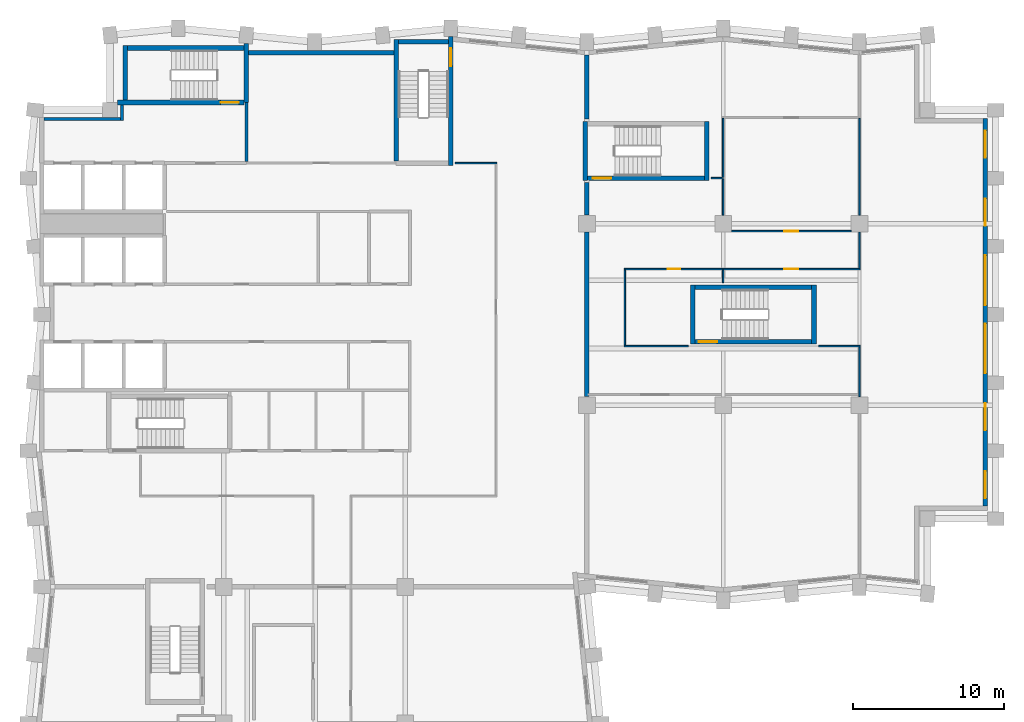
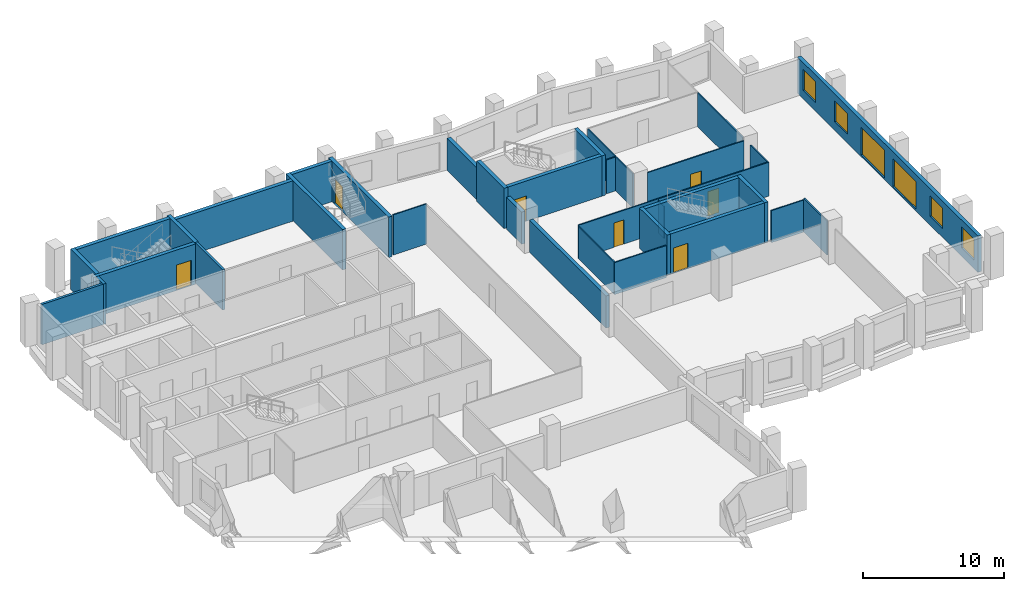
# One storey, part 6 of 10: 36 walls, 7 doors, 6 windows, 13 openings.
"""IFC4 building model written with IfcOpenShell, lengths in metres."""

from ifc_helpers import new_model, si_unit, direction, frame, frame_2d, origin, place, context, subcontext, project, spatial, rectangle, extrude, material, layer, layer_set, type_object, element, fill, save


model = new_model("IFC4")

# Units and contexts
model_context = context("Model", 3, precision=1e-05, world=origin(), true_north=direction((0.0, 1.0)))
body_context = subcontext(model_context, "Body", "Model", "MODEL_VIEW")
ifc_project = project(units=[si_unit("LENGTHUNIT", "METRE"), si_unit("AREAUNIT", "SQUARE_METRE"), si_unit("VOLUMEUNIT", "CUBIC_METRE"), si_unit("PLANEANGLEUNIT", "RADIAN"), si_unit("MASSUNIT", "GRAM", prefix="KILO")], contexts=[model_context])

# Site, building, storey
site_placement = place(None, origin())
site = spatial("IfcSite", under=ifc_project, at=site_placement, CompositionType="ELEMENT")
building_placement = place(site_placement, origin())
building = spatial("IfcBuilding", under=site, at=building_placement, Name="Brondeck Convention Tower", CompositionType="ELEMENT")
storey_placement = place(building_placement, frame((0.0, 0.0, 177.60009765625)))
storey = spatial("IfcBuildingStorey", under=building, at=storey_placement, Name="L43", CompositionType="ELEMENT", Elevation=177.60009765625)

# Walls
ifc_material_1 = material(Name="Concrete compartment wall C30/37", Category="concrete")
ifc_layer_1 = layer(ifc_material_1, 0.300048828125)
ifc_layer_set_1 = layer_set([ifc_layer_1], Name="Compartment wall 300")
wall_type_1 = type_object("IfcWallType", Name="Compartment wall 300", PredefinedType="PARTITIONING", material=ifc_layer_set_1)
wall_1_placement = place(storey_placement, frame((36.0, 39.570068359375, 0.0), z_axis=(0.0, 0.0, 1.0), x_axis=(0.0, 1.0, 0.0)))
element("IfcWall", 1, at=wall_1_placement, inside=storey, type_object=wall_type_1, Name="FLR-L43-W032", PredefinedType="PARTITIONING", context=body_context, shape_type="SweptSolid", body=[
    extrude(rectangle(XDim=10.875, YDim=0.300048828125, at=frame_2d((5.4375, 0.0))), origin(), (0.0, 0.0, 1.0), 2.77978515625),
])
wall_2_placement = place(storey_placement, frame((36.0, 51.554931640625, 0.0), z_axis=(0.0, 0.0, 1.0), x_axis=(0.0, 1.0, 0.0)))
element("IfcWall", 2, at=wall_2_placement, inside=storey, type_object=wall_type_1, Name="FLR-L43-W042", PredefinedType="PARTITIONING", context=body_context, shape_type="SweptSolid", body=[
    extrude(rectangle(XDim=2.14501953125, YDim=0.300048828125, at=frame_2d((1.072509765625, 0.0))), origin(), (0.0, 0.0, 1.0), 2.77978515625),
])
wall_3_placement = place(storey_placement, frame((36.0, 57.89990234375, 0.0), z_axis=(0.0, 0.0, 1.0), x_axis=(0.0, 1.0, 0.0)))
element("IfcWall", 3, at=wall_3_placement, inside=storey, type_object=wall_type_1, Name="FLR-L43-W049", PredefinedType="PARTITIONING", context=body_context, shape_type="SweptSolid", body=[
    extrude(rectangle(XDim=4.22607421875, YDim=0.300048828125, at=frame_2d((2.113037109375, 0.0))), origin(), (0.0, 0.0, 1.0), 2.77978515625),
])
ifc_material_2 = material(Name="Concrete C70/85", Category="concrete")
ifc_layer_2 = layer(ifc_material_2, 0.300048828125)
ifc_layer_set_2 = layer_set([ifc_layer_2], Name="Core outer wall 300 Concrete C70/85")
wall_type_2 = type_object("IfcWallType", Name="Core outer wall 300 Concrete C70/85", PredefinedType="SHEAR", material=ifc_layer_set_2)
wall_4_placement = place(storey_placement, frame((13.64990234375, 62.300048828125, 0.0), z_axis=(0.0, 0.0, 1.0), x_axis=(1.0, 0.0, 0.0)))
element("IfcWall", 4, at=wall_4_placement, inside=storey, type_object=wall_type_2, Name="L43 core wall", PredefinedType="SHEAR", context=body_context, shape_type="SweptSolid", body=[
    extrude(rectangle(XDim=9.60009765625, YDim=0.300048828125, at=frame_2d((4.800048828125, 0.0))), origin(), (0.0, 0.0, 1.0), 3.5),
])

# Wall, openings, windows
ifc_material_3 = material(Name="Precast concrete C50/60 bronze finish", Category="concrete")
ifc_layer_3 = layer(ifc_material_3, 0.070068359375, Name="Bronze precast facing")
ifc_material_4 = material(Name="Mineral wool")
ifc_layer_4 = layer(ifc_material_4, 0.159912109375, Name="Insulation")
ifc_material_5 = material(Name="Concrete C35/45", Category="concrete")
ifc_layer_5 = layer(ifc_material_5, 0.070068359375, Name="Backing")
ifc_layer_set_3 = layer_set([ifc_layer_3, ifc_layer_4, ifc_layer_5], Name="External infill wall, precast concrete C50/60 bronze facing")
wall_type_3 = type_object("IfcWallType", Name="External infill wall, precast concrete C50/60 bronze facing", PredefinedType="SOLIDWALL", material=ifc_layer_set_3)
wall_5_placement = place(storey_placement, frame((62.300048828125, 57.949951171875, 0.0), z_axis=(0.0, 0.0, 1.0), x_axis=(0.0, -1.0, 0.0)))
wall_5 = element("IfcWall", 5, at=wall_5_placement, inside=storey, type_object=wall_type_3, Name="ENV-EW-L43-P1-A-E63-01", PredefinedType="SOLIDWALL", context=body_context, shape_type="SweptSolid", body=[
    extrude(rectangle(XDim=25.60205078125, YDim=0.300048828125, at=frame_2d((12.801025390625, 0.0))), origin(), (0.0, 0.0, 1.0), 3.14990234375),
])
opening_1_placement = place(wall_5_placement, frame((0.800048828125, 0.0, 0.75)))
opening_1 = element("IfcOpeningElement", 6, at=opening_1_placement, cuts=wall_5, Name="Opening W10", PredefinedType="OPENING", context=body_context, shape_type="SweptSolid", body=[
    extrude(rectangle(XDim=1.800048828125, YDim=1.800048828125, at=frame_2d((0.89990234375, 0.89990234375))), frame((0.0, 0.159912109375, 0.0), z_axis=(0.0, -1.0, 0.0), x_axis=(1.0, 0.0, 0.0)), (0.0, 0.0, 1.0), 0.320068359375),
])
opening_2_placement = place(wall_5_placement, frame((5.300048828125, 0.0, 0.75)))
opening_2 = element("IfcOpeningElement", 7, at=opening_2_placement, cuts=wall_5, Name="Opening W10", PredefinedType="OPENING", context=body_context, shape_type="SweptSolid", body=[
    extrude(rectangle(XDim=1.800048828125, YDim=1.800048828125, at=frame_2d((0.89990234375, 0.89990234375))), frame((0.0, 0.159912109375, 0.0), z_axis=(0.0, -1.0, 0.0), x_axis=(1.0, 0.0, 0.0)), (0.0, 0.0, 1.0), 0.320068359375),
])
opening_3_placement = place(wall_5_placement, frame((9.050048828125, 0.0, 0.14990234375)))
opening_3 = element("IfcOpeningElement", 8, at=opening_3_placement, cuts=wall_5, Name="Opening W9", PredefinedType="OPENING", context=body_context, shape_type="SweptSolid", body=[
    extrude(rectangle(XDim=3.300048828125, YDim=2.39990234375, at=frame_2d((1.64990234375, 1.199951171875))), frame((0.0, 0.159912109375, 0.0), z_axis=(0.0, -1.0, 0.0), x_axis=(1.0, 0.0, 0.0)), (0.0, 0.0, 1.0), 0.320068359375),
])
opening_4_placement = place(wall_5_placement, frame((13.550048828125, 0.0, 0.14990234375)))
opening_4 = element("IfcOpeningElement", 9, at=opening_4_placement, cuts=wall_5, Name="Opening W9", PredefinedType="OPENING", context=body_context, shape_type="SweptSolid", body=[
    extrude(rectangle(XDim=3.300048828125, YDim=2.39990234375, at=frame_2d((1.64990234375, 1.199951171875))), frame((0.0, 0.159912109375, 0.0), z_axis=(0.0, -1.0, 0.0), x_axis=(1.0, 0.0, 0.0)), (0.0, 0.0, 1.0), 0.320068359375),
])
opening_5_placement = place(wall_5_placement, frame((18.800048828125, 0.0, 0.75)))
opening_5 = element("IfcOpeningElement", 10, at=opening_5_placement, cuts=wall_5, Name="Opening W10", PredefinedType="OPENING", context=body_context, shape_type="SweptSolid", body=[
    extrude(rectangle(XDim=1.800048828125, YDim=1.800048828125, at=frame_2d((0.89990234375, 0.89990234375))), frame((0.0, 0.159912109375, 0.0), z_axis=(0.0, -1.0, 0.0), x_axis=(1.0, 0.0, 0.0)), (0.0, 0.0, 1.0), 0.320068359375),
])
opening_6_placement = place(wall_5_placement, frame((23.300048828125, 0.0, 0.75)))
opening_6 = element("IfcOpeningElement", 11, at=opening_6_placement, cuts=wall_5, Name="Opening W10", PredefinedType="OPENING", context=body_context, shape_type="SweptSolid", body=[
    extrude(rectangle(XDim=1.800048828125, YDim=1.800048828125, at=frame_2d((0.89990234375, 0.89990234375))), frame((0.0, 0.159912109375, 0.0), z_axis=(0.0, -1.0, 0.0), x_axis=(1.0, 0.0, 0.0)), (0.0, 0.0, 1.0), 0.320068359375),
])
ifc_material_6 = material(Name="Bronze tinted double glazing", Category="glass")
window_type_1 = type_object("IfcWindowType", Name="Glazed flute window, bronze tinted", PartitioningType="SINGLE_PANEL", PredefinedType="WINDOW", material=ifc_material_6)
window_1_placement = place(opening_3_placement, origin())
window_1 = element("IfcWindow", 12, at=window_1_placement, inside=storey, type_object=window_type_1, Name="ENV-WN-L43-P1-A-E63-04", OverallHeight=2.39990234375, OverallWidth=3.300048828125, PartitioningType="SINGLE_PANEL", PredefinedType="WINDOW", context=body_context, shape_type="SweptSolid", body=[
    extrude(rectangle(XDim=3.300048828125, YDim=2.39990234375, at=frame_2d((1.64990234375, 1.199951171875))), frame((0.0, 0.030029296875, 0.0), z_axis=(0.0, -1.0, 0.0), x_axis=(1.0, 0.0, 0.0)), (0.0, 0.0, 1.0), 0.06005859375),
])
fill(opening_3, window_1)
window_2_placement = place(opening_4_placement, origin())
window_2 = element("IfcWindow", 13, at=window_2_placement, inside=storey, type_object=window_type_1, Name="ENV-WN-L43-P1-A-E63-03", OverallHeight=2.39990234375, OverallWidth=3.300048828125, PartitioningType="SINGLE_PANEL", PredefinedType="WINDOW", context=body_context, shape_type="SweptSolid", body=[
    extrude(rectangle(XDim=3.300048828125, YDim=2.39990234375, at=frame_2d((1.64990234375, 1.199951171875))), frame((0.0, 0.030029296875, 0.0), z_axis=(0.0, -1.0, 0.0), x_axis=(1.0, 0.0, 0.0)), (0.0, 0.0, 1.0), 0.06005859375),
])
fill(opening_4, window_2)
window_type_2 = type_object("IfcWindowType", Name="Punched window, bronze tinted", PartitioningType="SINGLE_PANEL", PredefinedType="WINDOW", material=ifc_material_6)
window_3_placement = place(opening_1_placement, origin())
window_3 = element("IfcWindow", 14, at=window_3_placement, inside=storey, type_object=window_type_2, Name="ENV-WN-L43-P1-A-E63-06", OverallHeight=1.800048828125, OverallWidth=1.800048828125, PartitioningType="SINGLE_PANEL", PredefinedType="WINDOW", context=body_context, shape_type="SweptSolid", body=[
    extrude(rectangle(XDim=1.800048828125, YDim=1.800048828125, at=frame_2d((0.89990234375, 0.89990234375))), frame((0.0, 0.030029296875, 0.0), z_axis=(0.0, -1.0, 0.0), x_axis=(1.0, 0.0, 0.0)), (0.0, 0.0, 1.0), 0.06005859375),
])
fill(opening_1, window_3)
window_4_placement = place(opening_2_placement, origin())
window_4 = element("IfcWindow", 15, at=window_4_placement, inside=storey, type_object=window_type_2, Name="ENV-WN-L43-P1-A-E63-05", OverallHeight=1.800048828125, OverallWidth=1.800048828125, PartitioningType="SINGLE_PANEL", PredefinedType="WINDOW", context=body_context, shape_type="SweptSolid", body=[
    extrude(rectangle(XDim=1.800048828125, YDim=1.800048828125, at=frame_2d((0.89990234375, 0.89990234375))), frame((0.0, 0.030029296875, 0.0), z_axis=(0.0, -1.0, 0.0), x_axis=(1.0, 0.0, 0.0)), (0.0, 0.0, 1.0), 0.06005859375),
])
fill(opening_2, window_4)
window_5_placement = place(opening_5_placement, origin())
window_5 = element("IfcWindow", 16, at=window_5_placement, inside=storey, type_object=window_type_2, Name="ENV-WN-L43-P1-A-E63-02", OverallHeight=1.800048828125, OverallWidth=1.800048828125, PartitioningType="SINGLE_PANEL", PredefinedType="WINDOW", context=body_context, shape_type="SweptSolid", body=[
    extrude(rectangle(XDim=1.800048828125, YDim=1.800048828125, at=frame_2d((0.89990234375, 0.89990234375))), frame((0.0, 0.030029296875, 0.0), z_axis=(0.0, -1.0, 0.0), x_axis=(1.0, 0.0, 0.0)), (0.0, 0.0, 1.0), 0.06005859375),
])
fill(opening_5, window_5)
window_6_placement = place(opening_6_placement, origin())
window_6 = element("IfcWindow", 17, at=window_6_placement, inside=storey, type_object=window_type_2, Name="ENV-WN-L43-P1-A-E63-01", OverallHeight=1.800048828125, OverallWidth=1.800048828125, PartitioningType="SINGLE_PANEL", PredefinedType="WINDOW", context=body_context, shape_type="SweptSolid", body=[
    extrude(rectangle(XDim=1.800048828125, YDim=1.800048828125, at=frame_2d((0.89990234375, 0.89990234375))), frame((0.0, 0.030029296875, 0.0), z_axis=(0.0, -1.0, 0.0), x_axis=(1.0, 0.0, 0.0)), (0.0, 0.0, 1.0), 0.06005859375),
])
fill(opening_6, window_6)

# Walls
ifc_material_7 = material(Name="Fire-rated gypsum board partition")
ifc_layer_6 = layer(ifc_material_7, 0.199951171875)
ifc_layer_set_4 = layer_set([ifc_layer_6], Name="Firefighting lobby wall 200 EI 120")
wall_type_4 = type_object("IfcWallType", Name="Firefighting lobby wall 200 EI 120", PredefinedType="PARTITIONING", material=ifc_layer_set_4)
wall_6_placement = place(storey_placement, frame((0.14990234375, 57.89990234375, 0.0), z_axis=(0.0, 0.0, 1.0), x_axis=(1.0, 0.0, 0.0)))
element("IfcWall", 18, at=wall_6_placement, inside=storey, type_object=wall_type_4, Name="L43 core wall", PredefinedType="PARTITIONING", context=body_context, shape_type="SweptSolid", body=[
    extrude(rectangle(XDim=5.050048828125, YDim=0.199951171875, at=frame_2d((2.52490234375, 0.0))), origin(), (0.0, 0.0, 1.0), 3.5),
])
wall_7_placement = place(storey_placement, frame((5.300048828125, 57.800048828125, 0.0), z_axis=(0.0, 0.0, 1.0), x_axis=(0.0, 1.0, 0.0)))
element("IfcWall", 19, at=wall_7_placement, inside=storey, type_object=wall_type_4, Name="L43 core wall", PredefinedType="PARTITIONING", context=body_context, shape_type="SweptSolid", body=[
    extrude(rectangle(XDim=1.050048828125, YDim=0.199951171875, at=frame_2d((0.52490234375, 0.0))), origin(), (0.0, 0.0, 1.0), 3.5),
])
wall_8_placement = place(storey_placement, frame((13.5, 55.10009765625, 0.0), z_axis=(0.0, 0.0, 1.0), x_axis=(0.0, 1.0, 0.0)))
element("IfcWall", 20, at=wall_8_placement, inside=storey, type_object=wall_type_4, Name="L43 core wall", PredefinedType="PARTITIONING", context=body_context, shape_type="SweptSolid", body=[
    extrude(rectangle(XDim=3.89990234375, YDim=0.199951171875, at=frame_2d((1.949951171875, 0.0))), origin(), (0.0, 0.0, 1.0), 3.5),
])
ifc_material_8 = material(Name="Gypsum board partition on steel studs", Category="steel")
ifc_layer_7 = layer(ifc_material_8, 0.10009765625)
ifc_layer_set_5 = layer_set([ifc_layer_7], Name="Room partition 100")
wall_type_5 = type_object("IfcWallType", Name="Room partition 100", PredefinedType="PARTITIONING", material=ifc_layer_set_5)
wall_9_placement = place(storey_placement, frame((54.0, 42.85009765625, 0.0), z_axis=(0.0, 0.0, 1.0), x_axis=(0.0, -1.0, 0.0)))
element("IfcWall", 21, at=wall_9_placement, inside=storey, type_object=wall_type_5, Name="FLR-L43-W033", PredefinedType="PARTITIONING", context=body_context, shape_type="SweptSolid", body=[
    extrude(rectangle(XDim=3.280029296875, YDim=0.10009765625, at=frame_2d((1.64013671875, 0.0))), origin(), (0.0, 0.0, 1.0), 2.929931640625),
])
wall_10_placement = place(storey_placement, frame((38.449951171875, 42.89990234375, 0.0), z_axis=(0.0, 0.0, 1.0), x_axis=(1.0, 0.0, 0.0)))
element("IfcWall", 22, at=wall_10_placement, inside=storey, type_object=wall_type_5, Name="FLR-L43-W034", PredefinedType="PARTITIONING", context=body_context, shape_type="SweptSolid", body=[
    extrude(rectangle(XDim=4.25, YDim=0.10009765625, at=frame_2d((2.125, 0.0))), origin(), (0.0, 0.0, 1.0), 2.77978515625),
])
wall_11_placement = place(storey_placement, frame((51.300048828125, 42.89990234375, 0.0), z_axis=(0.0, 0.0, 1.0), x_axis=(1.0, 0.0, 0.0)))
element("IfcWall", 23, at=wall_11_placement, inside=storey, type_object=wall_type_5, Name="FLR-L43-W035", PredefinedType="PARTITIONING", context=body_context, shape_type="SweptSolid", body=[
    extrude(rectangle(XDim=2.75, YDim=0.10009765625, at=frame_2d((1.375, 0.0))), origin(), (0.0, 0.0, 1.0), 2.77978515625),
])
wall_12_placement = place(storey_placement, frame((38.5, 47.949951171875, 0.0), z_axis=(0.0, 0.0, 1.0), x_axis=(0.0, -1.0, 0.0)))
element("IfcWall", 24, at=wall_12_placement, inside=storey, type_object=wall_type_5, Name="FLR-L43-W036", PredefinedType="PARTITIONING", context=body_context, shape_type="SweptSolid", body=[
    extrude(rectangle(XDim=5.0, YDim=0.10009765625, at=frame_2d((2.5, 0.0))), origin(), (0.0, 0.0, 1.0), 2.77978515625),
])
wall_13_placement = place(storey_placement, frame((45.0, 47.949951171875, 0.0), z_axis=(0.0, 0.0, 1.0), x_axis=(0.0, -1.0, 0.0)))
element("IfcWall", 25, at=wall_13_placement, inside=storey, type_object=wall_type_5, Name="FLR-L43-W037", PredefinedType="PARTITIONING", context=body_context, shape_type="SweptSolid", body=[
    extrude(rectangle(XDim=0.849853515625, YDim=0.10009765625, at=frame_2d((0.4248046875, 0.0))), origin(), (0.0, 0.0, 1.0), 2.77978515625),
])

# Wall, opening, door
wall_14_placement = place(storey_placement, frame((45.0, 48.0, 0.0), z_axis=(0.0, 0.0, 1.0), x_axis=(-1.0, 0.0, 0.0)))
wall_14 = element("IfcWall", 26, at=wall_14_placement, inside=storey, type_object=wall_type_5, Name="FLR-L43-W038", PredefinedType="PARTITIONING", context=body_context, shape_type="SweptSolid", body=[
    extrude(rectangle(XDim=6.550048828125, YDim=0.10009765625, at=frame_2d((3.27490234375, 0.0))), origin(), (0.0, 0.0, 1.0), 2.929931640625),
])
opening_7_placement = place(wall_14_placement, frame((2.85009765625, 0.0, 0.0)))
opening_7 = element("IfcOpeningElement", 27, at=opening_7_placement, cuts=wall_14, Name="Opening OF-I-002", PredefinedType="OPENING", context=body_context, shape_type="SweptSolid", body=[
    extrude(rectangle(XDim=0.800048828125, YDim=2.10009765625, at=frame_2d((0.39990234375, 1.050048828125))), frame((0.0, 0.06005859375, 0.0), z_axis=(0.0, -1.0, 0.0), x_axis=(1.0, 0.0, 0.0)), (0.0, 0.0, 1.0), 0.1201171875),
])
ifc_material_9 = material(Name="Steel service door leaf", Category="steel")
door_type_1 = type_object("IfcDoorType", Name="Service door 800", OperationType="NOTDEFINED", PredefinedType="DOOR", material=ifc_material_9)
door_1_placement = place(opening_7_placement, origin())
door_1 = element("IfcDoor", 28, at=door_1_placement, inside=storey, type_object=door_type_1, Name="Door OF-I-002", OperationType="SINGLE_SWING_RIGHT", OverallHeight=2.10009765625, OverallWidth=0.800048828125, PredefinedType="DOOR", context=body_context, shape_type="SweptSolid", body=[
    extrude(rectangle(XDim=0.800048828125, YDim=2.10009765625, at=frame_2d((0.39990234375, 1.050048828125))), frame((0.0, 0.02490234375, 0.0), z_axis=(0.0, -1.0, 0.0), x_axis=(1.0, 0.0, 0.0)), (0.0, 0.0, 1.0), 0.050048828125),
])
fill(opening_7, door_1)

wall_15_placement = place(storey_placement, frame((54.050048828125, 48.0, 0.0), z_axis=(0.0, 0.0, 1.0), x_axis=(-1.0, 0.0, 0.0)))
wall_15 = element("IfcWall", 29, at=wall_15_placement, inside=storey, type_object=wall_type_5, Name="FLR-L43-W039", PredefinedType="PARTITIONING", context=body_context, shape_type="SweptSolid", body=[
    extrude(rectangle(XDim=9.050048828125, YDim=0.10009765625, at=frame_2d((4.52490234375, 0.0))), origin(), (0.0, 0.0, 1.0), 2.929931640625),
])
opening_8_placement = place(wall_15_placement, frame((4.10009765625, 0.0, 0.0)))
opening_8 = element("IfcOpeningElement", 30, at=opening_8_placement, cuts=wall_15, Name="Opening OF-I-005", PredefinedType="OPENING", context=body_context, shape_type="SweptSolid", body=[
    extrude(rectangle(XDim=0.89990234375, YDim=2.10009765625, at=frame_2d((0.449951171875, 1.050048828125))), frame((0.0, 0.06005859375, 0.0), z_axis=(0.0, -1.0, 0.0), x_axis=(1.0, 0.0, 0.0)), (0.0, 0.0, 1.0), 0.1201171875),
])
ifc_material_10 = material(Name="Solid timber door leaf", Category="wood")
door_type_2 = type_object("IfcDoorType", Name="Single door 900", OperationType="NOTDEFINED", PredefinedType="DOOR", material=ifc_material_10)
door_2_placement = place(opening_8_placement, origin())
door_2 = element("IfcDoor", 31, at=door_2_placement, inside=storey, type_object=door_type_2, Name="Door OF-I-005", OperationType="SINGLE_SWING_RIGHT", OverallHeight=2.10009765625, OverallWidth=0.89990234375, PredefinedType="DOOR", context=body_context, shape_type="SweptSolid", body=[
    extrude(rectangle(XDim=0.89990234375, YDim=2.10009765625, at=frame_2d((0.449951171875, 1.050048828125))), frame((0.0, 0.02490234375, 0.0), z_axis=(0.0, -1.0, 0.0), x_axis=(1.0, 0.0, 0.0)), (0.0, 0.0, 1.0), 0.050048828125),
])
fill(opening_8, door_2)

# Wall
wall_16_placement = place(storey_placement, frame((54.0, 50.445068359375, 0.0), z_axis=(0.0, 0.0, 1.0), x_axis=(0.0, -1.0, 0.0)))
element("IfcWall", 32, at=wall_16_placement, inside=storey, type_object=wall_type_5, Name="FLR-L43-W040", PredefinedType="PARTITIONING", context=body_context, shape_type="SweptSolid", body=[
    extrude(rectangle(XDim=2.39501953125, YDim=0.10009765625, at=frame_2d((1.197509765625, 0.0))), origin(), (0.0, 0.0, 1.0), 2.929931640625),
])

# Wall, opening, door
wall_17_placement = place(storey_placement, frame((45.554931640625, 50.5, 0.0), z_axis=(0.0, 0.0, 1.0), x_axis=(1.0, 0.0, 0.0)))
wall_17 = element("IfcWall", 33, at=wall_17_placement, inside=storey, type_object=wall_type_5, Name="FLR-L43-W041", PredefinedType="PARTITIONING", context=body_context, shape_type="SweptSolid", body=[
    extrude(rectangle(XDim=7.89013671875, YDim=0.10009765625, at=frame_2d((3.945068359375, 0.0))), origin(), (0.0, 0.0, 1.0), 3.47998046875),
])
opening_9_placement = place(wall_17_placement, frame((3.4951171875, 0.0, 0.0)))
opening_9 = element("IfcOpeningElement", 34, at=opening_9_placement, cuts=wall_17, Name="Opening OF-I-007", PredefinedType="OPENING", context=body_context, shape_type="SweptSolid", body=[
    extrude(rectangle(XDim=0.89990234375, YDim=2.10009765625, at=frame_2d((0.449951171875, 1.050048828125))), frame((0.0, 0.06005859375, 0.0), z_axis=(0.0, -1.0, 0.0), x_axis=(1.0, 0.0, 0.0)), (0.0, 0.0, 1.0), 0.1201171875),
])
door_3_placement = place(opening_9_placement, origin())
door_3 = element("IfcDoor", 35, at=door_3_placement, inside=storey, type_object=door_type_2, Name="Door OF-I-007", OperationType="SINGLE_SWING_LEFT", OverallHeight=2.10009765625, OverallWidth=0.89990234375, PredefinedType="DOOR", context=body_context, shape_type="SweptSolid", body=[
    extrude(rectangle(XDim=0.89990234375, YDim=2.10009765625, at=frame_2d((0.449951171875, 1.050048828125))), frame((0.0, 0.02490234375, 0.0), z_axis=(0.0, -1.0, 0.0), x_axis=(1.0, 0.0, 0.0)), (0.0, 0.0, 1.0), 0.050048828125),
])
fill(opening_9, door_3)

# Walls
wall_18_placement = place(storey_placement, frame((54.0, 51.554931640625, 0.0), z_axis=(0.0, 0.0, 1.0), x_axis=(0.0, 1.0, 0.0)))
element("IfcWall", 36, at=wall_18_placement, inside=storey, type_object=wall_type_5, Name="FLR-L43-W043", PredefinedType="PARTITIONING", context=body_context, shape_type="SweptSolid", body=[
    extrude(rectangle(XDim=6.39501953125, YDim=0.10009765625, at=frame_2d((3.197509765625, 0.0))), origin(), (0.0, 0.0, 1.0), 2.929931640625),
])
wall_19_placement = place(storey_placement, frame((45.0, 53.949951171875, 0.0), z_axis=(0.0, 0.0, 1.0), x_axis=(0.0, -1.0, 0.0)))
element("IfcWall", 37, at=wall_19_placement, inside=storey, type_object=wall_type_5, Name="FLR-L43-W044", PredefinedType="PARTITIONING", context=body_context, shape_type="SweptSolid", body=[
    extrude(rectangle(XDim=2.39501953125, YDim=0.10009765625, at=frame_2d((1.197509765625, 0.0))), origin(), (0.0, 0.0, 1.0), 2.929931640625),
])
wall_20_placement = place(storey_placement, frame((44.199951171875, 54.0, 0.0), z_axis=(0.0, 0.0, 1.0), x_axis=(1.0, 0.0, 0.0)))
element("IfcWall", 38, at=wall_20_placement, inside=storey, type_object=wall_type_5, Name="FLR-L43-W045", PredefinedType="PARTITIONING", context=body_context, shape_type="SweptSolid", body=[
    extrude(rectangle(XDim=0.75, YDim=0.10009765625, at=frame_2d((0.375, 0.0))), origin(), (0.0, 0.0, 1.0), 2.929931640625),
])
wall_21_placement = place(storey_placement, frame((45.0, 54.050048828125, 0.0), z_axis=(0.0, 0.0, 1.0), x_axis=(0.0, 1.0, 0.0)))
element("IfcWall", 39, at=wall_21_placement, inside=storey, type_object=wall_type_5, Name="FLR-L43-W046", PredefinedType="PARTITIONING", context=body_context, shape_type="SweptSolid", body=[
    extrude(rectangle(XDim=3.89990234375, YDim=0.10009765625, at=frame_2d((1.949951171875, 0.0))), origin(), (0.0, 0.0, 1.0), 2.929931640625),
])
wall_22_placement = place(storey_placement, frame((27.300048828125, 55.0, 0.0), z_axis=(0.0, 0.0, 1.0), x_axis=(1.0, 0.0, 0.0)))
element("IfcWall", 40, at=wall_22_placement, inside=storey, type_object=wall_type_5, Name="FLR-L43-W048", PredefinedType="PARTITIONING", context=body_context, shape_type="SweptSolid", body=[
    extrude(rectangle(XDim=2.75, YDim=0.10009765625, at=frame_2d((1.375, 0.0))), origin(), (0.0, 0.0, 1.0), 3.47998046875),
])

# Wall, opening, door
ifc_layer_8 = layer(ifc_material_2, 0.300048828125)
ifc_layer_set_6 = layer_set([ifc_layer_8], Name="Stair enclosure wall 300 Concrete C70/85")
wall_type_6 = type_object("IfcWallType", Name="Stair enclosure wall 300 Concrete C70/85", PredefinedType="SHEAR", material=ifc_layer_set_6)
wall_23_placement = place(storey_placement, frame((43.14990234375, 43.199951171875, 0.0), z_axis=(0.0, 0.0, 1.0), x_axis=(1.0, 0.0, 0.0)))
wall_23 = element("IfcWall", 41, at=wall_23_placement, inside=storey, type_object=wall_type_6, Name="L43 core wall", PredefinedType="SHEAR", context=body_context, shape_type="SweptSolid", body=[
    extrude(rectangle(XDim=7.7001953125, YDim=0.300048828125, at=frame_2d((3.85009765625, 0.0))), origin(), (0.0, 0.0, 1.0), 3.5),
])
opening_10_placement = place(wall_23_placement, frame((0.25, 0.0, 0.0)))
opening_10 = element("IfcOpeningElement", 42, at=opening_10_placement, cuts=wall_23, Name="Opening C24-17", PredefinedType="OPENING", context=body_context, shape_type="SweptSolid", body=[
    extrude(rectangle(XDim=1.199951171875, YDim=2.199951171875, at=frame_2d((0.60009765625, 1.10009765625))), frame((0.0, 0.159912109375, 0.0), z_axis=(0.0, -1.0, 0.0), x_axis=(1.0, 0.0, 0.0)), (0.0, 0.0, 1.0), 0.320068359375),
])
ifc_material_11 = material(Name="Steel fire door", Category="steel")
door_type_3 = type_object("IfcDoorType", Name="Stair door 1200x2200 EI 90", OperationType="NOTDEFINED", PredefinedType="DOOR", material=ifc_material_11)
door_4_placement = place(opening_10_placement, origin())
door_4 = element("IfcDoor", 43, at=door_4_placement, inside=storey, type_object=door_type_3, Name="L43 Stair door ST-AF", OperationType="SINGLE_SWING_RIGHT", OverallHeight=2.199951171875, OverallWidth=1.199951171875, PredefinedType="DOOR", context=body_context, shape_type="SweptSolid", body=[
    extrude(rectangle(XDim=1.199951171875, YDim=2.199951171875, at=frame_2d((0.60009765625, 1.10009765625))), frame((0.0, 0.02490234375, 0.0), z_axis=(0.0, -1.0, 0.0), x_axis=(1.0, 0.0, 0.0)), (0.0, 0.0, 1.0), 0.050048828125),
])
fill(opening_10, door_4)

# Wall
wall_24_placement = place(storey_placement, frame((43.14990234375, 46.800048828125, 0.0), z_axis=(0.0, 0.0, 1.0), x_axis=(1.0, 0.0, 0.0)))
element("IfcWall", 44, at=wall_24_placement, inside=storey, type_object=wall_type_6, Name="L43 core wall", PredefinedType="SHEAR", context=body_context, shape_type="SweptSolid", body=[
    extrude(rectangle(XDim=7.7001953125, YDim=0.300048828125, at=frame_2d((3.85009765625, 0.0))), origin(), (0.0, 0.0, 1.0), 3.5),
])

# Wall, opening, door
wall_25_placement = place(storey_placement, frame((36.050048828125, 54.0, 0.0), z_axis=(0.0, 0.0, 1.0), x_axis=(1.0, 0.0, 0.0)))
wall_25 = element("IfcWall", 45, at=wall_25_placement, inside=storey, type_object=wall_type_6, Name="L43 core wall", PredefinedType="SHEAR", context=body_context, shape_type="SweptSolid", body=[
    extrude(rectangle(XDim=7.699951171875, YDim=0.300048828125, at=frame_2d((3.85009765625, 0.0))), origin(), (0.0, 0.0, 1.0), 3.5),
])
opening_11_placement = place(wall_25_placement, frame((0.35009765625, 0.0, 0.0)))
opening_11 = element("IfcOpeningElement", 46, at=opening_11_placement, cuts=wall_25, Name="Opening C24-16", PredefinedType="OPENING", context=body_context, shape_type="SweptSolid", body=[
    extrude(rectangle(XDim=1.199951171875, YDim=2.199951171875, at=frame_2d((0.60009765625, 1.10009765625))), frame((0.0, 0.159912109375, 0.0), z_axis=(0.0, -1.0, 0.0), x_axis=(1.0, 0.0, 0.0)), (0.0, 0.0, 1.0), 0.320068359375),
])
door_5_placement = place(opening_11_placement, origin())
door_5 = element("IfcDoor", 47, at=door_5_placement, inside=storey, type_object=door_type_3, Name="L43 Stair door ST-AE", OperationType="SINGLE_SWING_LEFT", OverallHeight=2.199951171875, OverallWidth=1.199951171875, PredefinedType="DOOR", context=body_context, shape_type="SweptSolid", body=[
    extrude(rectangle(XDim=1.199951171875, YDim=2.199951171875, at=frame_2d((0.60009765625, 1.10009765625))), frame((0.0, 0.02490234375, 0.0), z_axis=(0.0, -1.0, 0.0), x_axis=(1.0, 0.0, 0.0)), (0.0, 0.0, 1.0), 0.050048828125),
])
fill(opening_11, door_5)

wall_26_placement = place(storey_placement, frame((5.0, 59.0, 0.0), z_axis=(0.0, 0.0, 1.0), x_axis=(1.0, 0.0, 0.0)))
wall_26 = element("IfcWall", 48, at=wall_26_placement, inside=storey, type_object=wall_type_6, Name="L43 core wall", PredefinedType="SHEAR", context=body_context, shape_type="SweptSolid", body=[
    extrude(rectangle(XDim=8.35009765625, YDim=0.300048828125, at=frame_2d((4.175048828125, 0.0))), origin(), (0.0, 0.0, 1.0), 3.5),
])
opening_12_placement = place(wall_26_placement, frame((6.800048828125, 0.0, 0.0)))
opening_12 = element("IfcOpeningElement", 49, at=opening_12_placement, cuts=wall_26, Name="Opening C24-15", PredefinedType="OPENING", context=body_context, shape_type="SweptSolid", body=[
    extrude(rectangle(XDim=1.199951171875, YDim=2.199951171875, at=frame_2d((0.60009765625, 1.10009765625))), frame((0.0, 0.159912109375, 0.0), z_axis=(0.0, -1.0, 0.0), x_axis=(1.0, 0.0, 0.0)), (0.0, 0.0, 1.0), 0.320068359375),
])
door_type_4 = type_object("IfcDoorType", Name="Stair door 1200x2200 EI 120", OperationType="NOTDEFINED", PredefinedType="DOOR", material=ifc_material_11)
door_6_placement = place(opening_12_placement, origin())
door_6 = element("IfcDoor", 50, at=door_6_placement, inside=storey, type_object=door_type_4, Name="L43 Stair door ST-3", OperationType="SINGLE_SWING_RIGHT", OverallHeight=2.199951171875, OverallWidth=1.199951171875, PredefinedType="DOOR", context=body_context, shape_type="SweptSolid", body=[
    extrude(rectangle(XDim=1.199951171875, YDim=2.199951171875, at=frame_2d((0.60009765625, 1.10009765625))), frame((0.0, 0.02490234375, 0.0), z_axis=(0.0, -1.0, 0.0), x_axis=(1.0, 0.0, 0.0)), (0.0, 0.0, 1.0), 0.050048828125),
])
fill(opening_12, door_6)

# Walls
wall_27_placement = place(storey_placement, frame((5.64990234375, 62.60009765625, 0.0), z_axis=(0.0, 0.0, 1.0), x_axis=(1.0, 0.0, 0.0)))
element("IfcWall", 51, at=wall_27_placement, inside=storey, type_object=wall_type_6, Name="L43 core wall", PredefinedType="SHEAR", context=body_context, shape_type="SweptSolid", body=[
    extrude(rectangle(XDim=7.7001953125, YDim=0.300048828125, at=frame_2d((3.85009765625, 0.0))), origin(), (0.0, 0.0, 1.0), 3.5),
])
wall_28_placement = place(storey_placement, frame((23.550048828125, 63.0, 0.0), z_axis=(0.0, 0.0, 1.0), x_axis=(1.0, 0.0, 0.0)))
element("IfcWall", 52, at=wall_28_placement, inside=storey, type_object=wall_type_6, Name="L43 core wall", PredefinedType="SHEAR", context=body_context, shape_type="SweptSolid", body=[
    extrude(rectangle(XDim=3.300048828125, YDim=0.300048828125, at=frame_2d((1.64990234375, 0.0))), origin(), (0.0, 0.0, 1.0), 3.5),
])
wall_29_placement = place(storey_placement, frame((5.5, 59.14990234375, 0.0), z_axis=(0.0, 0.0, 1.0), x_axis=(0.0, 1.0, 0.0)))
element("IfcWall", 53, at=wall_29_placement, inside=storey, type_object=wall_type_6, Name="L43 core wall", PredefinedType="SHEAR", context=body_context, shape_type="SweptSolid", body=[
    extrude(rectangle(XDim=3.60009765625, YDim=0.300048828125, at=frame_2d((1.800048828125, 0.0))), origin(), (0.0, 0.0, 1.0), 3.5),
])
wall_30_placement = place(storey_placement, frame((13.5, 59.0, 0.0), z_axis=(0.0, 0.0, 1.0), x_axis=(0.0, 1.0, 0.0)))
element("IfcWall", 54, at=wall_30_placement, inside=storey, type_object=wall_type_6, Name="L43 core wall", PredefinedType="SHEAR", context=body_context, shape_type="SweptSolid", body=[
    extrude(rectangle(XDim=3.897216796875, YDim=0.300048828125, at=frame_2d((1.94873046875, 0.0))), origin(), (0.0, 0.0, 1.0), 3.5),
])
wall_31_placement = place(storey_placement, frame((23.39990234375, 55.14990234375, 0.0), z_axis=(0.0, 0.0, 1.0), x_axis=(0.0, 1.0, 0.0)))
element("IfcWall", 55, at=wall_31_placement, inside=storey, type_object=wall_type_6, Name="L43 core wall", PredefinedType="SHEAR", context=body_context, shape_type="SweptSolid", body=[
    extrude(rectangle(XDim=8.0, YDim=0.300048828125, at=frame_2d((4.0, 0.0))), origin(), (0.0, 0.0, 1.0), 3.5),
])

# Wall, opening, door
wall_32_placement = place(storey_placement, frame((27.0, 54.85009765625, 0.0), z_axis=(0.0, 0.0, 1.0), x_axis=(0.0, 1.0, 0.0)))
wall_32 = element("IfcWall", 56, at=wall_32_placement, inside=storey, type_object=wall_type_6, Name="L43 core wall", PredefinedType="SHEAR", context=body_context, shape_type="SweptSolid", body=[
    extrude(rectangle(XDim=8.5, YDim=0.300048828125, at=frame_2d((4.25, 0.0))), origin(), (0.0, 0.0, 1.0), 3.5),
])
opening_13_placement = place(wall_32_placement, frame((6.550048828125, 0.0, 0.0)))
opening_13 = element("IfcOpeningElement", 57, at=opening_13_placement, cuts=wall_32, Name="Opening C24-14", PredefinedType="OPENING", context=body_context, shape_type="SweptSolid", body=[
    extrude(rectangle(XDim=1.199951171875, YDim=2.199951171875, at=frame_2d((0.60009765625, 1.10009765625))), frame((0.0, 0.159912109375, 0.0), z_axis=(0.0, -1.0, 0.0), x_axis=(1.0, 0.0, 0.0)), (0.0, 0.0, 1.0), 0.320068359375),
])
door_7_placement = place(opening_13_placement, origin())
door_7 = element("IfcDoor", 58, at=door_7_placement, inside=storey, type_object=door_type_3, Name="L43 Stair door ST-2", OperationType="SINGLE_SWING_LEFT", OverallHeight=2.199951171875, OverallWidth=1.199951171875, PredefinedType="DOOR", context=body_context, shape_type="SweptSolid", body=[
    extrude(rectangle(XDim=1.199951171875, YDim=2.199951171875, at=frame_2d((0.60009765625, 1.10009765625))), frame((0.0, 0.02490234375, 0.0), z_axis=(0.0, -1.0, 0.0), x_axis=(1.0, 0.0, 0.0)), (0.0, 0.0, 1.0), 0.050048828125),
])
fill(opening_13, door_7)

# Walls
for number, where, z_axis, x_axis, name in (
    (59, (35.89990234375, 53.85009765625, 0.0), (0.0, 0.0, 1.0), (0.0, 1.0, 0.0), "L43 core wall"),
    (60, (43.0, 43.050048828125, 0.0), (0.0, 0.0, 1.0), (0.0, 1.0, 0.0), "L43 core wall"),
    (61, (43.89990234375, 53.85009765625, 0.0), (0.0, 0.0, 1.0), (0.0, 1.0, 0.0), "L43 core wall"),
    (62, (51.0, 43.050048828125, 0.0), (0.0, 0.0, 1.0), (0.0, 1.0, 0.0), "L43 core wall"),
):
    element("IfcWall", number, at=place(storey_placement, frame(where, z_axis=z_axis, x_axis=x_axis)), inside=storey, type_object=wall_type_6, Name=name, PredefinedType="SHEAR", context=body_context, shape_type="SweptSolid", body=[
        extrude(rectangle(XDim=3.89990234375, YDim=0.300048828125, at=frame_2d((1.949951171875, 0.0))), origin(), (0.0, 0.0, 1.0), 3.5),
    ])

save(model, "model.ifc")
